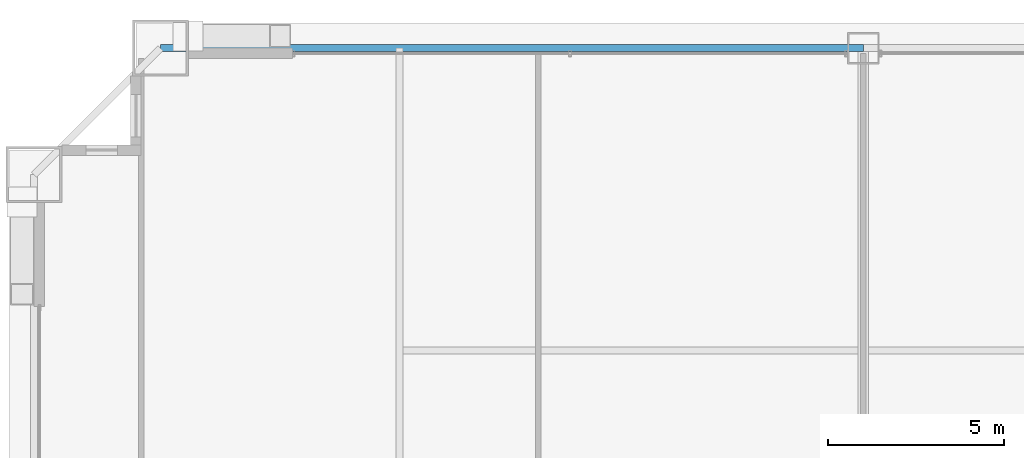
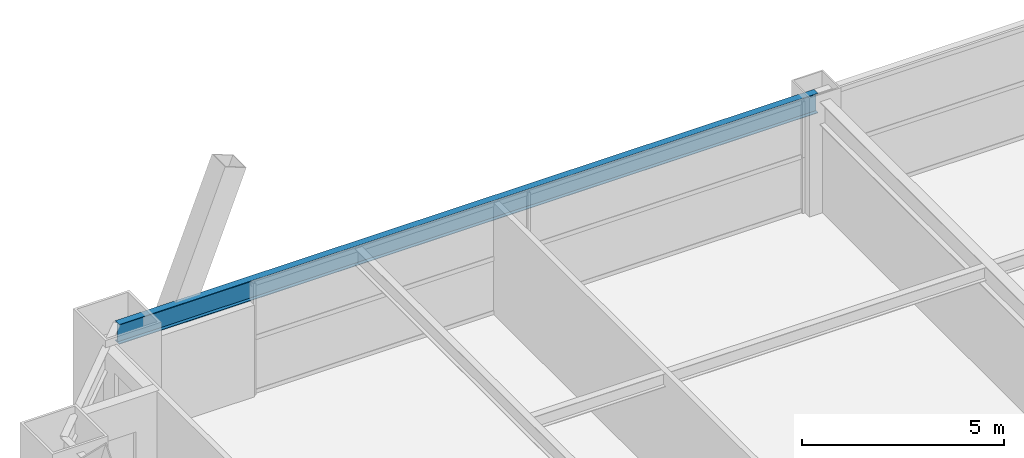
# One storey, part 28 of 43: 1 beam.
"""IFC4 building model written with IfcOpenShell, lengths in metres."""

from ifc_helpers import new_model, si_unit, direction, frame, origin, origin_2d, place, context, subcontext, project, spatial, i_section, extrude, source, transform, mapped, material, material_profile, profile_set, type_object, element, save


model = new_model("IFC4")

# Units and contexts
model_context = context("Model", 3, precision=1e-05, world=origin(), true_north=direction((0.0, 1.0)))
body_context = subcontext(model_context, "Body", "Model", "MODEL_VIEW")
ifc_project = project(units=[si_unit("LENGTHUNIT", "METRE"), si_unit("AREAUNIT", "SQUARE_METRE"), si_unit("VOLUMEUNIT", "CUBIC_METRE"), si_unit("PLANEANGLEUNIT", "RADIAN"), si_unit("MASSUNIT", "GRAM", prefix="KILO"), si_unit("THERMODYNAMICTEMPERATUREUNIT", "KELVIN"), si_unit("POWERUNIT", "WATT")], contexts=[model_context])

# Site, building, storey
site_placement = place(None, origin())
site = spatial("IfcSite", under=ifc_project, at=site_placement, CompositionType="ELEMENT")
building_placement = place(site_placement, origin())
building = spatial("IfcBuilding", under=site, at=building_placement, Name="Yuzanri Waterfront Tower", CompositionType="ELEMENT")
storey_placement = place(building_placement, frame((0.0, 0.0, 101.0)))
storey = spatial("IfcBuildingStorey", under=building, at=storey_placement, Name="L26", CompositionType="ELEMENT", Elevation=101.0)

# Beam
ifc_material = material(Name="Steel Q355B", Category="steel")
ifc_material_profile = material_profile(ifc_material, i_section(OverallWidth=0.199951171875, OverallDepth=0.60009765625, WebThickness=0.010986328125, FlangeThickness=0.01708984375, at=origin_2d()), Name="HN 600x200x11x17")
ifc_profile_set = profile_set([ifc_material_profile], Name="Steel Q355B")
beam_type = type_object("IfcBeamType", Name="Perimeter Spandrel Q355B HN 600x200", PredefinedType="SPANDREL", material=ifc_profile_set)
shared_shape = source(origin(), body_context, "Body", "SweptSolid", [
    extrude(i_section(OverallWidth=0.199951171875, OverallDepth=0.60009765625, WebThickness=0.010986328125, FlangeThickness=0.01708984375, at=origin_2d()), origin(), (0.0, 0.0, 1.0), 20.0),
])
beam_placement = place(storey_placement, frame((37.0, 49.39990234375, 3.080078125), z_axis=(-1.0, 0.0, 0.0), x_axis=(0.0, -1.0, 0.0)))
element("IfcBeam", 1, at=beam_placement, inside=storey, type_object=beam_type, Name="L26 Perimeter Spandrel N2-N1", PredefinedType="SPANDREL", context=body_context, shape_type="MappedRepresentation", body=[
    mapped(shared_shape, transform((0.0, 0.0, 0.0), scale=1.0)),
])

save(model, "model.ifc")
